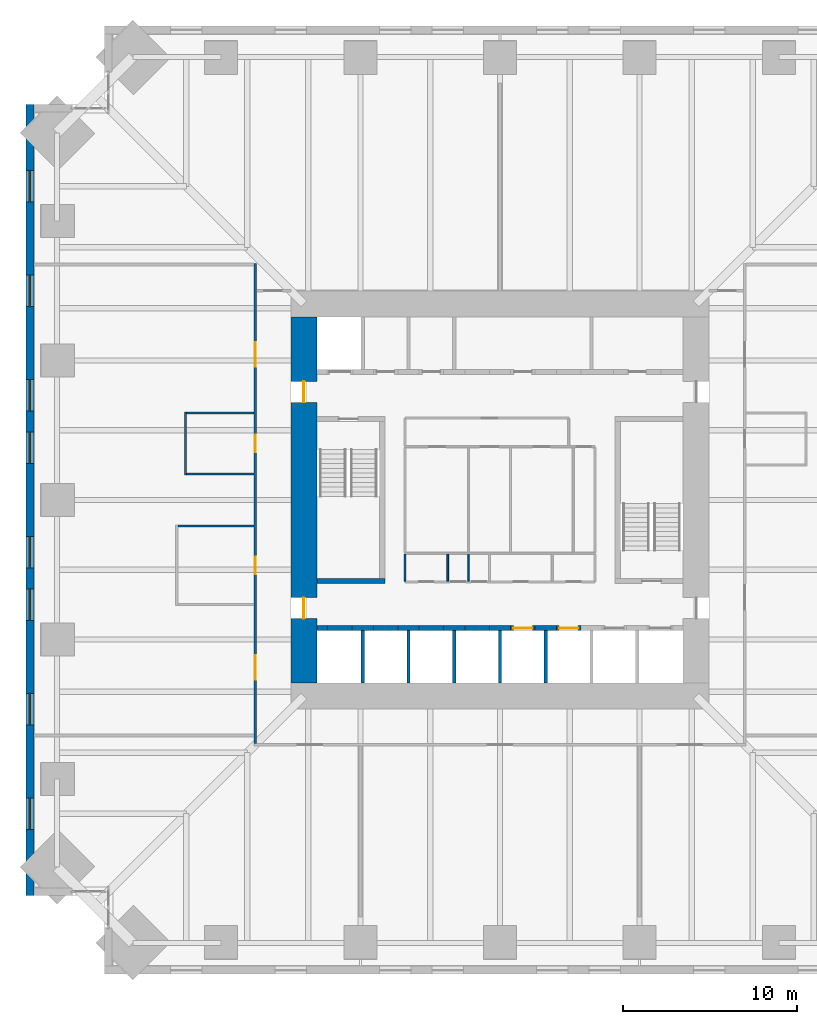
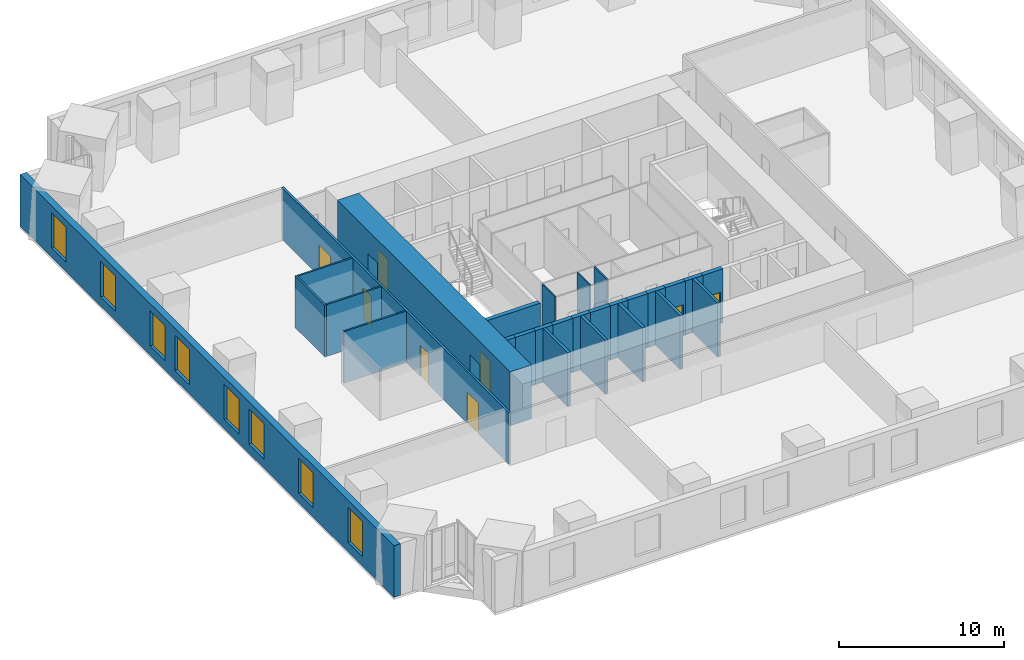
# One storey, part 12 of 16: 28 walls, 8 doors, 8 windows, 16 openings.
"""IFC4 building model written with IfcOpenShell, lengths in metres."""

from ifc_helpers import new_model, si_unit, direction, frame, frame_2d, origin, place, context, subcontext, project, spatial, rectangle, extrude, material, layer, layer_set, type_object, element, fill, save


model = new_model("IFC4")

# Units and contexts
model_context = context("Model", 3, precision=1e-05, world=origin(), true_north=direction((0.0, 1.0)))
body_context = subcontext(model_context, "Body", "Model", "MODEL_VIEW")
ifc_project = project(units=[si_unit("LENGTHUNIT", "METRE"), si_unit("AREAUNIT", "SQUARE_METRE"), si_unit("VOLUMEUNIT", "CUBIC_METRE"), si_unit("PLANEANGLEUNIT", "RADIAN"), si_unit("MASSUNIT", "GRAM", prefix="KILO")], contexts=[model_context])

# Site, building, storey
site_placement = place(None, origin())
site = spatial("IfcSite", under=ifc_project, at=site_placement, CompositionType="ELEMENT")
building_placement = place(site_placement, origin())
building = spatial("IfcBuilding", under=site, at=building_placement, Name="Peilmerk Tower", CompositionType="ELEMENT")
storey_placement = place(building_placement, frame((0.0, 0.0, 135.800048828125)))
storey = spatial("IfcBuildingStorey", under=building, at=storey_placement, Name="L27", CompositionType="ELEMENT", Elevation=135.800048828125)

# Wall, openings, windows
ifc_material_1 = material(Name="Precast concrete C45/55, board-marked finish", Category="concrete")
ifc_layer_1 = layer(ifc_material_1, 0.449951171875)
ifc_layer_set_1 = layer_set([ifc_layer_1], Name="Precast concrete C45/55, board-marked finish")
wall_type_1 = type_object("IfcWallType", Name="EW1 450 precast concrete facade wall, board-marked", PredefinedType="SOLIDWALL", material=ifc_layer_set_1)
wall_1_placement = place(storey_placement, frame((-26.97509765625, 22.699951171875, 0.0), z_axis=(0.0, 0.0, 1.0), x_axis=(0.0, -1.0, 0.0)))
wall_1 = element("IfcWall", 1, at=wall_1_placement, inside=storey, type_object=wall_type_1, Name="Facade wall W L27", PredefinedType="SOLIDWALL", context=body_context, shape_type="SweptSolid", body=[
    extrude(rectangle(XDim=45.39990234375, YDim=0.449951171875, at=frame_2d((22.699951171875, 0.0))), origin(), (0.0, 0.0, 1.0), 3.829833984375),
])
opening_1_placement = place(wall_1_placement, frame((3.800048828125, 0.0, 0.699951171875)))
opening_1 = element("IfcOpeningElement", 2, at=opening_1_placement, cuts=wall_1, Name="Opening W1", PredefinedType="OPENING", context=body_context, shape_type="SweptSolid", body=[
    extrude(rectangle(XDim=1.800048828125, YDim=2.60009765625, at=frame_2d((0.89990234375, 1.300048828125))), frame((0.0, 0.23486328125, 0.0), z_axis=(0.0, -1.0, 0.0), x_axis=(1.0, 0.0, 0.0)), (0.0, 0.0, 1.0), 0.469970703125),
])
opening_2_placement = place(wall_1_placement, frame((9.800048828125, 0.0, 0.699951171875)))
opening_2 = element("IfcOpeningElement", 3, at=opening_2_placement, cuts=wall_1, Name="Opening W1", PredefinedType="OPENING", context=body_context, shape_type="SweptSolid", body=[
    extrude(rectangle(XDim=1.800048828125, YDim=2.60009765625, at=frame_2d((0.89990234375, 1.300048828125))), frame((0.0, 0.23486328125, 0.0), z_axis=(0.0, -1.0, 0.0), x_axis=(1.0, 0.0, 0.0)), (0.0, 0.0, 1.0), 0.469970703125),
])
opening_3_placement = place(wall_1_placement, frame((15.800048828125, 0.0, 0.699951171875)))
opening_3 = element("IfcOpeningElement", 4, at=opening_3_placement, cuts=wall_1, Name="Opening W1", PredefinedType="OPENING", context=body_context, shape_type="SweptSolid", body=[
    extrude(rectangle(XDim=1.800048828125, YDim=2.60009765625, at=frame_2d((0.89990234375, 1.300048828125))), frame((0.0, 0.23486328125, 0.0), z_axis=(0.0, -1.0, 0.0), x_axis=(1.0, 0.0, 0.0)), (0.0, 0.0, 1.0), 0.469970703125),
])
opening_4_placement = place(wall_1_placement, frame((18.800048828125, 0.0, 0.699951171875)))
opening_4 = element("IfcOpeningElement", 5, at=opening_4_placement, cuts=wall_1, Name="Opening W1", PredefinedType="OPENING", context=body_context, shape_type="SweptSolid", body=[
    extrude(rectangle(XDim=1.800048828125, YDim=2.60009765625, at=frame_2d((0.89990234375, 1.300048828125))), frame((0.0, 0.23486328125, 0.0), z_axis=(0.0, -1.0, 0.0), x_axis=(1.0, 0.0, 0.0)), (0.0, 0.0, 1.0), 0.469970703125),
])
opening_5_placement = place(wall_1_placement, frame((24.800048828125, 0.0, 0.699951171875)))
opening_5 = element("IfcOpeningElement", 6, at=opening_5_placement, cuts=wall_1, Name="Opening W1", PredefinedType="OPENING", context=body_context, shape_type="SweptSolid", body=[
    extrude(rectangle(XDim=1.800048828125, YDim=2.60009765625, at=frame_2d((0.89990234375, 1.300048828125))), frame((0.0, 0.23486328125, 0.0), z_axis=(0.0, -1.0, 0.0), x_axis=(1.0, 0.0, 0.0)), (0.0, 0.0, 1.0), 0.469970703125),
])
opening_6_placement = place(wall_1_placement, frame((27.800048828125, 0.0, 0.699951171875)))
opening_6 = element("IfcOpeningElement", 7, at=opening_6_placement, cuts=wall_1, Name="Opening W1", PredefinedType="OPENING", context=body_context, shape_type="SweptSolid", body=[
    extrude(rectangle(XDim=1.800048828125, YDim=2.60009765625, at=frame_2d((0.89990234375, 1.300048828125))), frame((0.0, 0.23486328125, 0.0), z_axis=(0.0, -1.0, 0.0), x_axis=(1.0, 0.0, 0.0)), (0.0, 0.0, 1.0), 0.469970703125),
])
opening_7_placement = place(wall_1_placement, frame((33.800048828125, 0.0, 0.699951171875)))
opening_7 = element("IfcOpeningElement", 8, at=opening_7_placement, cuts=wall_1, Name="Opening W1", PredefinedType="OPENING", context=body_context, shape_type="SweptSolid", body=[
    extrude(rectangle(XDim=1.800048828125, YDim=2.60009765625, at=frame_2d((0.89990234375, 1.300048828125))), frame((0.0, 0.23486328125, 0.0), z_axis=(0.0, -1.0, 0.0), x_axis=(1.0, 0.0, 0.0)), (0.0, 0.0, 1.0), 0.469970703125),
])
opening_8_placement = place(wall_1_placement, frame((39.800048828125, 0.0, 0.699951171875)))
opening_8 = element("IfcOpeningElement", 9, at=opening_8_placement, cuts=wall_1, Name="Opening W1", PredefinedType="OPENING", context=body_context, shape_type="SweptSolid", body=[
    extrude(rectangle(XDim=1.800048828125, YDim=2.60009765625, at=frame_2d((0.89990234375, 1.300048828125))), frame((0.0, 0.23486328125, 0.0), z_axis=(0.0, -1.0, 0.0), x_axis=(1.0, 0.0, 0.0)), (0.0, 0.0, 1.0), 0.469970703125),
])
ifc_material_2 = material(Name="Aluminium frame, clear double glazing", Category="aluminium")
window_type = type_object("IfcWindowType", Name="W1 1800x2600 office window", PartitioningType="SINGLE_PANEL", PredefinedType="WINDOW", material=ifc_material_2)
window_1_placement = place(opening_1_placement, origin())
window_1 = element("IfcWindow", 10, at=window_1_placement, inside=storey, type_object=window_type, Name="Window W1 L27", OverallHeight=2.60009765625, OverallWidth=1.800048828125, PartitioningType="SINGLE_PANEL", PredefinedType="WINDOW", context=body_context, shape_type="SweptSolid", body=[
    extrude(rectangle(XDim=1.800048828125, YDim=2.60009765625, at=frame_2d((0.89990234375, 1.300048828125))), frame((0.0, 0.030029296875, 0.0), z_axis=(0.0, -1.0, 0.0), x_axis=(1.0, 0.0, 0.0)), (0.0, 0.0, 1.0), 0.06005859375),
])
fill(opening_1, window_1)
window_2_placement = place(opening_2_placement, origin())
window_2 = element("IfcWindow", 11, at=window_2_placement, inside=storey, type_object=window_type, Name="Window W1 L27", OverallHeight=2.60009765625, OverallWidth=1.800048828125, PartitioningType="SINGLE_PANEL", PredefinedType="WINDOW", context=body_context, shape_type="SweptSolid", body=[
    extrude(rectangle(XDim=1.800048828125, YDim=2.60009765625, at=frame_2d((0.89990234375, 1.300048828125))), frame((0.0, 0.030029296875, 0.0), z_axis=(0.0, -1.0, 0.0), x_axis=(1.0, 0.0, 0.0)), (0.0, 0.0, 1.0), 0.06005859375),
])
fill(opening_2, window_2)
window_3_placement = place(opening_3_placement, origin())
window_3 = element("IfcWindow", 12, at=window_3_placement, inside=storey, type_object=window_type, Name="Window W1 L27", OverallHeight=2.60009765625, OverallWidth=1.800048828125, PartitioningType="SINGLE_PANEL", PredefinedType="WINDOW", context=body_context, shape_type="SweptSolid", body=[
    extrude(rectangle(XDim=1.800048828125, YDim=2.60009765625, at=frame_2d((0.89990234375, 1.300048828125))), frame((0.0, 0.030029296875, 0.0), z_axis=(0.0, -1.0, 0.0), x_axis=(1.0, 0.0, 0.0)), (0.0, 0.0, 1.0), 0.06005859375),
])
fill(opening_3, window_3)
window_4_placement = place(opening_4_placement, origin())
window_4 = element("IfcWindow", 13, at=window_4_placement, inside=storey, type_object=window_type, Name="Window W1 L27", OverallHeight=2.60009765625, OverallWidth=1.800048828125, PartitioningType="SINGLE_PANEL", PredefinedType="WINDOW", context=body_context, shape_type="SweptSolid", body=[
    extrude(rectangle(XDim=1.800048828125, YDim=2.60009765625, at=frame_2d((0.89990234375, 1.300048828125))), frame((0.0, 0.030029296875, 0.0), z_axis=(0.0, -1.0, 0.0), x_axis=(1.0, 0.0, 0.0)), (0.0, 0.0, 1.0), 0.06005859375),
])
fill(opening_4, window_4)
window_5_placement = place(opening_5_placement, origin())
window_5 = element("IfcWindow", 14, at=window_5_placement, inside=storey, type_object=window_type, Name="Window W1 L27", OverallHeight=2.60009765625, OverallWidth=1.800048828125, PartitioningType="SINGLE_PANEL", PredefinedType="WINDOW", context=body_context, shape_type="SweptSolid", body=[
    extrude(rectangle(XDim=1.800048828125, YDim=2.60009765625, at=frame_2d((0.89990234375, 1.300048828125))), frame((0.0, 0.030029296875, 0.0), z_axis=(0.0, -1.0, 0.0), x_axis=(1.0, 0.0, 0.0)), (0.0, 0.0, 1.0), 0.06005859375),
])
fill(opening_5, window_5)
window_6_placement = place(opening_6_placement, origin())
window_6 = element("IfcWindow", 15, at=window_6_placement, inside=storey, type_object=window_type, Name="Window W1 L27", OverallHeight=2.60009765625, OverallWidth=1.800048828125, PartitioningType="SINGLE_PANEL", PredefinedType="WINDOW", context=body_context, shape_type="SweptSolid", body=[
    extrude(rectangle(XDim=1.800048828125, YDim=2.60009765625, at=frame_2d((0.89990234375, 1.300048828125))), frame((0.0, 0.030029296875, 0.0), z_axis=(0.0, -1.0, 0.0), x_axis=(1.0, 0.0, 0.0)), (0.0, 0.0, 1.0), 0.06005859375),
])
fill(opening_6, window_6)
window_7_placement = place(opening_7_placement, origin())
window_7 = element("IfcWindow", 16, at=window_7_placement, inside=storey, type_object=window_type, Name="Window W1 L27", OverallHeight=2.60009765625, OverallWidth=1.800048828125, PartitioningType="SINGLE_PANEL", PredefinedType="WINDOW", context=body_context, shape_type="SweptSolid", body=[
    extrude(rectangle(XDim=1.800048828125, YDim=2.60009765625, at=frame_2d((0.89990234375, 1.300048828125))), frame((0.0, 0.030029296875, 0.0), z_axis=(0.0, -1.0, 0.0), x_axis=(1.0, 0.0, 0.0)), (0.0, 0.0, 1.0), 0.06005859375),
])
fill(opening_7, window_7)
window_8_placement = place(opening_8_placement, origin())
window_8 = element("IfcWindow", 17, at=window_8_placement, inside=storey, type_object=window_type, Name="Window W1 L27", OverallHeight=2.60009765625, OverallWidth=1.800048828125, PartitioningType="SINGLE_PANEL", PredefinedType="WINDOW", context=body_context, shape_type="SweptSolid", body=[
    extrude(rectangle(XDim=1.800048828125, YDim=2.60009765625, at=frame_2d((0.89990234375, 1.300048828125))), frame((0.0, 0.030029296875, 0.0), z_axis=(0.0, -1.0, 0.0), x_axis=(1.0, 0.0, 0.0)), (0.0, 0.0, 1.0), 0.06005859375),
])
fill(opening_8, window_8)

# Wall, openings, doors
ifc_material_3 = material(Name="Calcium silicate block", Category="masonry")
ifc_layer_2 = layer(ifc_material_3, 0.14990234375)
ifc_layer_set_2 = layer_set([ifc_layer_2], Name="Calcium silicate block")
wall_type_2 = type_object("IfcWallType", Name="IW1 150 corridor partition, EI 60", PredefinedType="PARTITIONING", material=ifc_layer_set_2)
wall_2_placement = place(storey_placement, frame((-14.050048828125, 13.574951171875, 0.0), z_axis=(0.0, 0.0, 1.0), x_axis=(0.0, -1.0, 0.0)))
wall_2 = element("IfcWall", 18, at=wall_2_placement, inside=storey, type_object=wall_type_2, Name="Corridor wall W L27", PredefinedType="PARTITIONING", context=body_context, shape_type="SweptSolid", body=[
    extrude(rectangle(XDim=27.550048828125, YDim=0.14990234375, at=frame_2d((13.77490234375, 0.0))), origin(), (0.0, 0.0, 1.0), 3.829833984375),
])
opening_9_placement = place(wall_2_placement, frame((22.47509765625, 0.0, 0.0)))
opening_9 = element("IfcOpeningElement", 19, at=opening_9_placement, cuts=wall_2, Name="Opening D8", PredefinedType="OPENING", context=body_context, shape_type="SweptSolid", body=[
    extrude(rectangle(XDim=1.39990234375, YDim=2.300048828125, at=frame_2d((0.699951171875, 1.14990234375))), frame((0.0, 0.0849609375, 0.0), z_axis=(0.0, -1.0, 0.0), x_axis=(1.0, 0.0, 0.0)), (0.0, 0.0, 1.0), 0.169921875),
])
opening_10_placement = place(wall_2_placement, frame((4.52490234375, 0.0, 0.0)))
opening_10 = element("IfcOpeningElement", 20, at=opening_10_placement, cuts=wall_2, Name="Opening D8", PredefinedType="OPENING", context=body_context, shape_type="SweptSolid", body=[
    extrude(rectangle(XDim=1.39990234375, YDim=2.300048828125, at=frame_2d((0.699951171875, 1.14990234375))), frame((0.0, 0.0849609375, 0.0), z_axis=(0.0, -1.0, 0.0), x_axis=(1.0, 0.0, 0.0)), (0.0, 0.0, 1.0), 0.169921875),
])
opening_11_placement = place(wall_2_placement, frame((16.824951171875, 0.0, 0.0)))
opening_11 = element("IfcOpeningElement", 21, at=opening_11_placement, cuts=wall_2, Name="Opening D1", PredefinedType="OPENING", context=body_context, shape_type="SweptSolid", body=[
    extrude(rectangle(XDim=1.0, YDim=2.300048828125, at=frame_2d((0.5, 1.14990234375))), frame((0.0, 0.0849609375, 0.0), z_axis=(0.0, -1.0, 0.0), x_axis=(1.0, 0.0, 0.0)), (0.0, 0.0, 1.0), 0.169921875),
])
opening_12_placement = place(wall_2_placement, frame((9.824951171875, 0.0, 0.0)))
opening_12 = element("IfcOpeningElement", 22, at=opening_12_placement, cuts=wall_2, Name="Opening D1", PredefinedType="OPENING", context=body_context, shape_type="SweptSolid", body=[
    extrude(rectangle(XDim=1.0, YDim=2.300048828125, at=frame_2d((0.5, 1.14990234375))), frame((0.0, 0.0849609375, 0.0), z_axis=(0.0, -1.0, 0.0), x_axis=(1.0, 0.0, 0.0)), (0.0, 0.0, 1.0), 0.169921875),
])
ifc_material_4 = material(Name="Timber door in steel frame", Category="steel")
door_type_1 = type_object("IfcDoorType", Name="D1 1000x2300 room door, EI2 30", OperationType="SINGLE_SWING_LEFT", PredefinedType="DOOR", material=ifc_material_4)
door_1_placement = place(opening_11_placement, frame((1.0, 0.0, 0.0), z_axis=(0.0, 0.0, 1.0), x_axis=(-1.0, 0.0, 0.0)))
door_1 = element("IfcDoor", 23, at=door_1_placement, inside=storey, type_object=door_type_1, Name="Door Meeting room L27", OperationType="SINGLE_SWING_LEFT", OverallHeight=2.300048828125, OverallWidth=1.0, PredefinedType="DOOR", context=body_context, shape_type="SweptSolid", body=[
    extrude(rectangle(XDim=1.0, YDim=2.300048828125, at=frame_2d((0.5, 1.14990234375))), frame((0.0, 0.02490234375, 0.0), z_axis=(0.0, -1.0, 0.0), x_axis=(1.0, 0.0, 0.0)), (0.0, 0.0, 1.0), 0.050048828125),
])
fill(opening_11, door_1)
door_2_placement = place(opening_12_placement, frame((1.0, 0.0, 0.0), z_axis=(0.0, 0.0, 1.0), x_axis=(-1.0, 0.0, 0.0)))
door_2 = element("IfcDoor", 24, at=door_2_placement, inside=storey, type_object=door_type_1, Name="Door Pantry L27", OperationType="SINGLE_SWING_LEFT", OverallHeight=2.300048828125, OverallWidth=1.0, PredefinedType="DOOR", context=body_context, shape_type="SweptSolid", body=[
    extrude(rectangle(XDim=1.0, YDim=2.300048828125, at=frame_2d((0.5, 1.14990234375))), frame((0.0, 0.02490234375, 0.0), z_axis=(0.0, -1.0, 0.0), x_axis=(1.0, 0.0, 0.0)), (0.0, 0.0, 1.0), 0.050048828125),
])
fill(opening_12, door_2)
door_type_2 = type_object("IfcDoorType", Name="D8 1400x2300 leaf-and-a-half door, EI2 30", OperationType="DOUBLE_DOOR_SINGLE_SWING", PredefinedType="DOOR", material=ifc_material_4)
door_3_placement = place(opening_9_placement, frame((1.39990234375, 0.0, 0.0), z_axis=(0.0, 0.0, 1.0), x_axis=(-1.0, 0.0, 0.0)))
door_3 = element("IfcDoor", 25, at=door_3_placement, inside=storey, type_object=door_type_2, Name="Door Tenant suite L27", OperationType="DOUBLE_DOOR_SINGLE_SWING", OverallHeight=2.300048828125, OverallWidth=1.39990234375, PredefinedType="DOOR", context=body_context, shape_type="SweptSolid", body=[
    extrude(rectangle(XDim=1.39990234375, YDim=2.300048828125, at=frame_2d((0.699951171875, 1.14990234375))), frame((0.0, 0.02490234375, 0.0), z_axis=(0.0, -1.0, 0.0), x_axis=(1.0, 0.0, 0.0)), (0.0, 0.0, 1.0), 0.050048828125),
])
fill(opening_9, door_3)
door_4_placement = place(opening_10_placement, frame((1.39990234375, 0.0, 0.0), z_axis=(0.0, 0.0, 1.0), x_axis=(-1.0, 0.0, 0.0)))
door_4 = element("IfcDoor", 26, at=door_4_placement, inside=storey, type_object=door_type_2, Name="Door Tenant suite L27", OperationType="DOUBLE_DOOR_SINGLE_SWING", OverallHeight=2.300048828125, OverallWidth=1.39990234375, PredefinedType="DOOR", context=body_context, shape_type="SweptSolid", body=[
    extrude(rectangle(XDim=1.39990234375, YDim=2.300048828125, at=frame_2d((0.699951171875, 1.14990234375))), frame((0.0, 0.02490234375, 0.0), z_axis=(0.0, -1.0, 0.0), x_axis=(1.0, 0.0, 0.0)), (0.0, 0.0, 1.0), 0.050048828125),
])
fill(opening_10, door_4)

# Walls
ifc_material_5 = material(Name="Concrete C35/45", Category="concrete")
ifc_layer_3 = layer(ifc_material_5, 0.300048828125)
ifc_layer_set_3 = layer_set([ifc_layer_3], Name="Concrete C35/45")
wall_type_3 = type_object("IfcWallType", Name="IW3 300 concrete stair enclosure wall, EI 120", PredefinedType="SOLIDWALL", material=ifc_layer_set_3)
wall_3_placement = place(storey_placement, frame((-6.60009765625, -4.64990234375, 0.0), z_axis=(0.0, 0.0, 1.0), x_axis=(-1.0, 0.0, 0.0)))
element("IfcWall", 27, at=wall_3_placement, inside=storey, type_object=wall_type_3, Name="Stair 1 enclosure L27", PredefinedType="SOLIDWALL", context=body_context, shape_type="SweptSolid", body=[
    extrude(rectangle(XDim=3.89990234375, YDim=0.300048828125, at=frame_2d((1.949951171875, 0.0))), origin(), (0.0, 0.0, 1.0), 3.75),
])
ifc_material_6 = material(Name="Calcium silicate board on steel studs", Category="steel")
ifc_layer_4 = layer(ifc_material_6, 0.10009765625)
ifc_layer_set_4 = layer_set([ifc_layer_4], Name="Calcium silicate board on steel studs")
wall_type_4 = type_object("IfcWallType", Name="IW5 100 riser enclosure wall, EI 60", PredefinedType="PARTITIONING", material=ifc_layer_set_4)
for number, where, z_axis, x_axis, name in (
    (28, (-5.449951171875, -3.10009765625, 0.0), (0.0, 0.0, 1.0), (0.0, -1.0, 0.0), "Riser wall L27"),
    (29, (-3.0, -3.10009765625, 0.0), (0.0, 0.0, 1.0), (0.0, -1.0, 0.0), "Riser wall L27"),
    (30, (-1.800048828125, -3.10009765625, 0.0), (0.0, 0.0, 1.0), (0.0, -1.0, 0.0), "Riser wall L27"),
):
    element("IfcWall", number, at=place(storey_placement, frame(where, z_axis=z_axis, x_axis=x_axis)), inside=storey, type_object=wall_type_4, Name=name, PredefinedType="PARTITIONING", context=body_context, shape_type="SweptSolid", body=[
        extrude(rectangle(XDim=1.5498046875, YDim=0.10009765625, at=frame_2d((0.77490234375, 0.0))), origin(), (0.0, 0.0, 1.0), 3.75),
    ])
ifc_material_7 = material(Name="Plasterboard on steel studs, double boarded with mineral wool", Category="steel")
ifc_layer_5 = layer(ifc_material_7, 0.125)
ifc_layer_set_5 = layer_set([ifc_layer_5], Name="Plasterboard on steel studs, double boarded with mineral wool")
wall_type_5 = type_object("IfcWallType", Name="IW7 125 acoustic partition, EI 30", PredefinedType="PARTITIONING", material=ifc_layer_set_5)
wall_4_placement = place(storey_placement, frame((-14.125, -1.5, 0.0), z_axis=(0.0, 0.0, 1.0), x_axis=(-1.0, 0.0, 0.0)))
element("IfcWall", 31, at=wall_4_placement, inside=storey, type_object=wall_type_5, Name="Acoustic partition Meeting room L27", PredefinedType="PARTITIONING", context=body_context, shape_type="SweptSolid", body=[
    extrude(rectangle(XDim=4.362548828125, YDim=0.125, at=frame_2d((2.18115234375, 0.0))), origin(), (0.0, 0.0, 1.0), 3.829833984375),
])
wall_5_placement = place(storey_placement, frame((-18.050048828125, 1.4375, 0.0), z_axis=(0.0, 0.0, 1.0), x_axis=(0.0, 1.0, 0.0)))
element("IfcWall", 32, at=wall_5_placement, inside=storey, type_object=wall_type_5, Name="Acoustic partition Pantry L27", PredefinedType="PARTITIONING", context=body_context, shape_type="SweptSolid", body=[
    extrude(rectangle(XDim=3.625, YDim=0.125, at=frame_2d((1.8125, 0.0))), origin(), (0.0, 0.0, 1.0), 3.829833984375),
])
for number, where, z_axis, x_axis, name in (
    (33, (-14.125, 1.5, 0.0), (0.0, 0.0, 1.0), (-1.0, 0.0, 0.0), "Acoustic partition Pantry L27"),
    (34, (-14.125, 5.0, 0.0), (0.0, 0.0, 1.0), (-1.0, 0.0, 0.0), "Acoustic partition Pantry L27"),
):
    element("IfcWall", number, at=place(storey_placement, frame(where, z_axis=z_axis, x_axis=x_axis)), inside=storey, type_object=wall_type_5, Name=name, PredefinedType="PARTITIONING", context=body_context, shape_type="SweptSolid", body=[
        extrude(rectangle(XDim=3.862548828125, YDim=0.125, at=frame_2d((1.93115234375, 0.0))), origin(), (0.0, 0.0, 1.0), 3.829833984375),
    ])
ifc_layer_6 = layer(ifc_material_3, 0.199951171875)
ifc_layer_set_6 = layer_set([ifc_layer_6], Name="Calcium silicate block")
wall_type_6 = type_object("IfcWallType", Name="SH1 200 shaft dividing wall, EI 120", PredefinedType="PARTITIONING", material=ifc_layer_set_6)
for number, where, z_axis, x_axis, name in (
    (35, (-7.875, -10.5, 0.0), (0.0, 0.0, 1.0), (0.0, 1.0, 0.0), "Shaft wall S C4 L27"),
    (36, (-5.25, -10.5, 0.0), (0.0, 0.0, 1.0), (0.0, 1.0, 0.0), "Shaft wall S C3 L27"),
    (37, (-2.625, -10.5, 0.0), (0.0, 0.0, 1.0), (0.0, 1.0, 0.0), "Shaft wall S C2 L27"),
    (38, (0.0, -10.5, 0.0), (0.0, 0.0, 1.0), (0.0, 1.0, 0.0), "Shaft wall S C1 L27"),
    (39, (2.625, -10.5, 0.0), (0.0, 0.0, 1.0), (0.0, 1.0, 0.0), "Shaft wall S B3 L27"),
):
    element("IfcWall", number, at=place(storey_placement, frame(where, z_axis=z_axis, x_axis=x_axis)), inside=storey, type_object=wall_type_6, Name=name, PredefinedType="PARTITIONING", context=body_context, shape_type="SweptSolid", body=[
        extrude(rectangle(XDim=3.0, YDim=0.199951171875, at=frame_2d((1.5, 0.0))), origin(), (0.0, 0.0, 1.0), 4.0),
    ])
ifc_layer_7 = layer(ifc_material_3, 0.300048828125)
ifc_layer_set_7 = layer_set([ifc_layer_7], Name="Calcium silicate block")
wall_type_7 = type_object("IfcWallType", Name="SH2 300 lift landing door panel, EI 120", PredefinedType="PARTITIONING", material=ifc_layer_set_7)
for number, where, z_axis, x_axis, name in (
    (40, (-9.887451171875, -7.35009765625, 0.0), (0.0, 0.0, 1.0), (1.0, 0.0, 0.0), "Lift door panel S C4 L27"),
    (41, (-7.262451171875, -7.35009765625, 0.0), (0.0, 0.0, 1.0), (1.0, 0.0, 0.0), "Lift door panel S C3 L27"),
    (42, (-4.637451171875, -7.35009765625, 0.0), (0.0, 0.0, 1.0), (1.0, 0.0, 0.0), "Lift door panel S C2 L27"),
    (43, (-2.012451171875, -7.35009765625, 0.0), (0.0, 0.0, 1.0), (1.0, 0.0, 0.0), "Lift door panel S C1 L27"),
):
    element("IfcWall", number, at=place(storey_placement, frame(where, z_axis=z_axis, x_axis=x_axis)), inside=storey, type_object=wall_type_7, Name=name, PredefinedType="PARTITIONING", context=body_context, shape_type="SweptSolid", body=[
        extrude(rectangle(XDim=1.39990234375, YDim=0.300048828125, at=frame_2d((0.699951171875, 0.0))), origin(), (0.0, 0.0, 1.0), 4.0),
    ])

# Wall, opening, door
wall_6_placement = place(storey_placement, frame((0.612548828125, -7.35009765625, 0.0), z_axis=(0.0, 0.0, 1.0), x_axis=(1.0, 0.0, 0.0)))
wall_6 = element("IfcWall", 44, at=wall_6_placement, inside=storey, type_object=wall_type_7, Name="Lift door panel S B3 L27", PredefinedType="PARTITIONING", context=body_context, shape_type="SweptSolid", body=[
    extrude(rectangle(XDim=1.39990234375, YDim=0.300048828125, at=frame_2d((0.699951171875, 0.0))), origin(), (0.0, 0.0, 1.0), 4.0),
])
opening_13_placement = place(wall_6_placement, frame((0.14990234375, 0.0, 0.0)))
opening_13 = element("IfcOpeningElement", 45, at=opening_13_placement, cuts=wall_6, Name="Opening LD1", PredefinedType="OPENING", context=body_context, shape_type="SweptSolid", body=[
    extrude(rectangle(XDim=1.10009765625, YDim=2.300048828125, at=frame_2d((0.550048828125, 1.14990234375))), frame((0.0, 0.159912109375, 0.0), z_axis=(0.0, -1.0, 0.0), x_axis=(1.0, 0.0, 0.0)), (0.0, 0.0, 1.0), 0.320068359375),
])
ifc_material_8 = material(Name="Stainless steel landing door", Category="steel")
door_type_3 = type_object("IfcDoorType", Name="LD1 1100x2300 lift landing door, sliding, EI2 60", OperationType="SLIDING_TO_LEFT", PredefinedType="DOOR", material=ifc_material_8)
door_5_placement = place(opening_13_placement, origin())
door_5 = element("IfcDoor", 46, at=door_5_placement, inside=storey, type_object=door_type_3, Name="Lift landing door B3 L27", OperationType="SLIDING_TO_LEFT", OverallHeight=2.300048828125, OverallWidth=1.10009765625, PredefinedType="DOOR", context=body_context, shape_type="SweptSolid", body=[
    extrude(rectangle(XDim=1.10009765625, YDim=2.300048828125, at=frame_2d((0.550048828125, 1.14990234375))), frame((0.0, 0.02490234375, 0.0), z_axis=(0.0, -1.0, 0.0), x_axis=(1.0, 0.0, 0.0)), (0.0, 0.0, 1.0), 0.050048828125),
])
fill(opening_13, door_5)

wall_7_placement = place(storey_placement, frame((3.237548828125, -7.35009765625, 0.0), z_axis=(0.0, 0.0, 1.0), x_axis=(1.0, 0.0, 0.0)))
wall_7 = element("IfcWall", 47, at=wall_7_placement, inside=storey, type_object=wall_type_7, Name="Lift door panel S B2 L27", PredefinedType="PARTITIONING", context=body_context, shape_type="SweptSolid", body=[
    extrude(rectangle(XDim=1.39990234375, YDim=0.300048828125, at=frame_2d((0.699951171875, 0.0))), origin(), (0.0, 0.0, 1.0), 4.0),
])
opening_14_placement = place(wall_7_placement, frame((0.14990234375, 0.0, 0.0)))
opening_14 = element("IfcOpeningElement", 48, at=opening_14_placement, cuts=wall_7, Name="Opening LD1", PredefinedType="OPENING", context=body_context, shape_type="SweptSolid", body=[
    extrude(rectangle(XDim=1.10009765625, YDim=2.300048828125, at=frame_2d((0.550048828125, 1.14990234375))), frame((0.0, 0.159912109375, 0.0), z_axis=(0.0, -1.0, 0.0), x_axis=(1.0, 0.0, 0.0)), (0.0, 0.0, 1.0), 0.320068359375),
])
door_6_placement = place(opening_14_placement, origin())
door_6 = element("IfcDoor", 49, at=door_6_placement, inside=storey, type_object=door_type_3, Name="Lift landing door B2 L27", OperationType="SLIDING_TO_LEFT", OverallHeight=2.300048828125, OverallWidth=1.10009765625, PredefinedType="DOOR", context=body_context, shape_type="SweptSolid", body=[
    extrude(rectangle(XDim=1.10009765625, YDim=2.300048828125, at=frame_2d((0.550048828125, 1.14990234375))), frame((0.0, 0.02490234375, 0.0), z_axis=(0.0, -1.0, 0.0), x_axis=(1.0, 0.0, 0.0)), (0.0, 0.0, 1.0), 0.050048828125),
])
fill(opening_14, door_6)

# Wall, openings, doors
ifc_material_9 = material(Name="Concrete C55/67", Category="concrete")
ifc_layer_8 = layer(ifc_material_9, 1.5)
ifc_layer_set_8 = layer_set([ifc_layer_8], Name="Concrete C55/67")
wall_type_8 = type_object("IfcWallType", Name="SW1 1500 core wall", PredefinedType="SHEAR", material=ifc_layer_set_8)
wall_8_placement = place(storey_placement, frame((-11.25, -10.5, 0.0), z_axis=(0.0, 0.0, 1.0), x_axis=(0.0, 1.0, 0.0)))
wall_8 = element("IfcWall", 50, at=wall_8_placement, inside=storey, type_object=wall_type_8, Name="Core wall W L27", PredefinedType="SHEAR", context=body_context, shape_type="SweptSolid", body=[
    extrude(rectangle(XDim=21.0, YDim=1.5, at=frame_2d((10.5, 0.0))), origin(), (0.0, 0.0, 1.0), 4.0),
])
opening_15_placement = place(wall_8_placement, frame((16.10009765625, 0.0, 0.0)))
opening_15 = element("IfcOpeningElement", 51, at=opening_15_placement, cuts=wall_8, Name="Opening D3", PredefinedType="OPENING", context=body_context, shape_type="SweptSolid", body=[
    extrude(rectangle(XDim=1.199951171875, YDim=2.300048828125, at=frame_2d((0.60009765625, 1.14990234375))), frame((0.0, 0.760009765625, 0.0), z_axis=(0.0, -1.0, 0.0), x_axis=(1.0, 0.0, 0.0)), (0.0, 0.0, 1.0), 1.52001953125),
])
opening_16_placement = place(wall_8_placement, frame((3.699951171875, 0.0, 0.0)))
opening_16 = element("IfcOpeningElement", 52, at=opening_16_placement, cuts=wall_8, Name="Opening D3", PredefinedType="OPENING", context=body_context, shape_type="SweptSolid", body=[
    extrude(rectangle(XDim=1.199951171875, YDim=2.300048828125, at=frame_2d((0.60009765625, 1.14990234375))), frame((0.0, 0.760009765625, 0.0), z_axis=(0.0, -1.0, 0.0), x_axis=(1.0, 0.0, 0.0)), (0.0, 0.0, 1.0), 1.52001953125),
])
ifc_material_10 = material(Name="Steel door in steel frame", Category="steel")
door_type_4 = type_object("IfcDoorType", Name="D3 1200x2300 core door, EI2 60", OperationType="SINGLE_SWING_LEFT", PredefinedType="DOOR", material=ifc_material_10)
door_7_placement = place(opening_15_placement, frame((1.199951171875, 0.0, 0.0), z_axis=(0.0, 0.0, 1.0), x_axis=(-1.0, 0.0, 0.0)))
door_7 = element("IfcDoor", 53, at=door_7_placement, inside=storey, type_object=door_type_4, Name="Core door L27", OperationType="SINGLE_SWING_LEFT", OverallHeight=2.300048828125, OverallWidth=1.199951171875, PredefinedType="DOOR", context=body_context, shape_type="SweptSolid", body=[
    extrude(rectangle(XDim=1.199951171875, YDim=2.300048828125, at=frame_2d((0.60009765625, 1.14990234375))), frame((0.0, 0.02490234375, 0.0), z_axis=(0.0, -1.0, 0.0), x_axis=(1.0, 0.0, 0.0)), (0.0, 0.0, 1.0), 0.050048828125),
])
fill(opening_15, door_7)
door_8_placement = place(opening_16_placement, frame((1.199951171875, 0.0, 0.0), z_axis=(0.0, 0.0, 1.0), x_axis=(-1.0, 0.0, 0.0)))
door_8 = element("IfcDoor", 54, at=door_8_placement, inside=storey, type_object=door_type_4, Name="Core door L27", OperationType="SINGLE_SWING_LEFT", OverallHeight=2.300048828125, OverallWidth=1.199951171875, PredefinedType="DOOR", context=body_context, shape_type="SweptSolid", body=[
    extrude(rectangle(XDim=1.199951171875, YDim=2.300048828125, at=frame_2d((0.60009765625, 1.14990234375))), frame((0.0, 0.02490234375, 0.0), z_axis=(0.0, -1.0, 0.0), x_axis=(1.0, 0.0, 0.0)), (0.0, 0.0, 1.0), 0.050048828125),
])
fill(opening_16, door_8)

# Walls
ifc_layer_9 = layer(ifc_material_9, 0.300048828125)
ifc_layer_set_9 = layer_set([ifc_layer_9], Name="Concrete C55/67")
wall_type_9 = type_object("IfcWallType", Name="SW2 300 lift bank pier", PredefinedType="SHEAR", material=ifc_layer_set_9)
wall_9_placement = place(storey_placement, frame((-10.5, -7.35009765625, 0.0), z_axis=(0.0, 0.0, 1.0), x_axis=(1.0, 0.0, 0.0)))
element("IfcWall", 55, at=wall_9_placement, inside=storey, type_object=wall_type_9, Name="Lift bank pier S L27", PredefinedType="SHEAR", context=body_context, shape_type="SweptSolid", body=[
    extrude(rectangle(XDim=0.612548828125, YDim=0.300048828125, at=frame_2d((0.30615234375, 0.0))), origin(), (0.0, 0.0, 1.0), 4.0),
])
for number, where, z_axis, x_axis, name in (
    (56, (-8.487548828125, -7.35009765625, 0.0), (0.0, 0.0, 1.0), (1.0, 0.0, 0.0), "Lift bank pier S L27"),
    (57, (-5.862548828125, -7.35009765625, 0.0), (0.0, 0.0, 1.0), (1.0, 0.0, 0.0), "Lift bank pier S L27"),
    (58, (-3.237548828125, -7.35009765625, 0.0), (0.0, 0.0, 1.0), (1.0, 0.0, 0.0), "Lift bank pier S L27"),
    (59, (-0.612548828125, -7.35009765625, 0.0), (0.0, 0.0, 1.0), (1.0, 0.0, 0.0), "Lift bank pier S L27"),
    (60, (2.012451171875, -7.35009765625, 0.0), (0.0, 0.0, 1.0), (1.0, 0.0, 0.0), "Lift bank pier S L27"),
):
    element("IfcWall", number, at=place(storey_placement, frame(where, z_axis=z_axis, x_axis=x_axis)), inside=storey, type_object=wall_type_9, Name=name, PredefinedType="SHEAR", context=body_context, shape_type="SweptSolid", body=[
        extrude(rectangle(XDim=1.22509765625, YDim=0.300048828125, at=frame_2d((0.612548828125, 0.0))), origin(), (0.0, 0.0, 1.0), 4.0),
    ])

save(model, "model.ifc")
